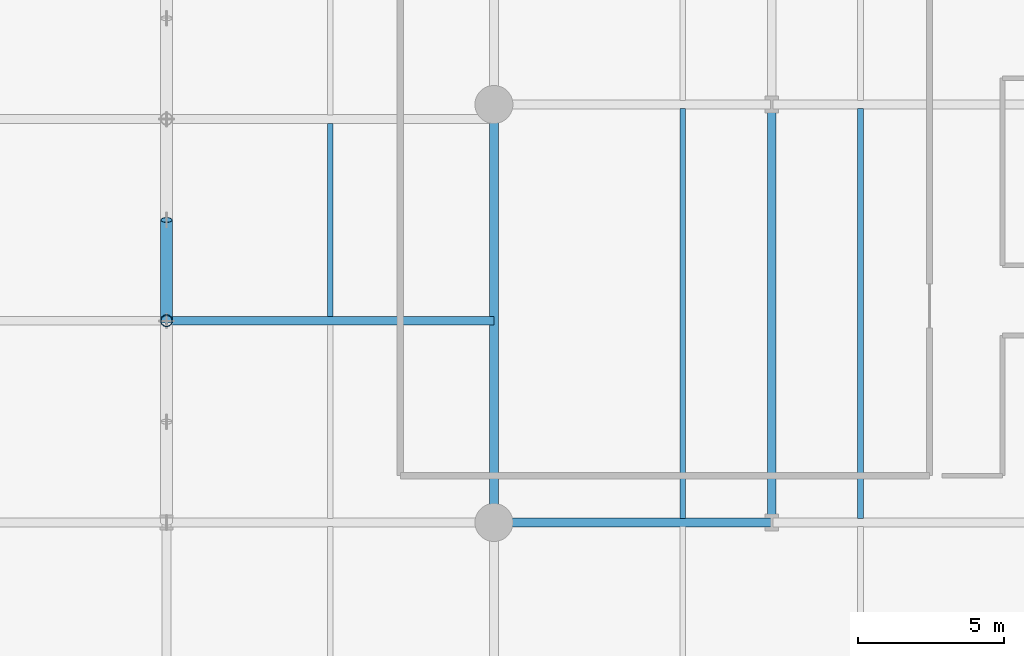
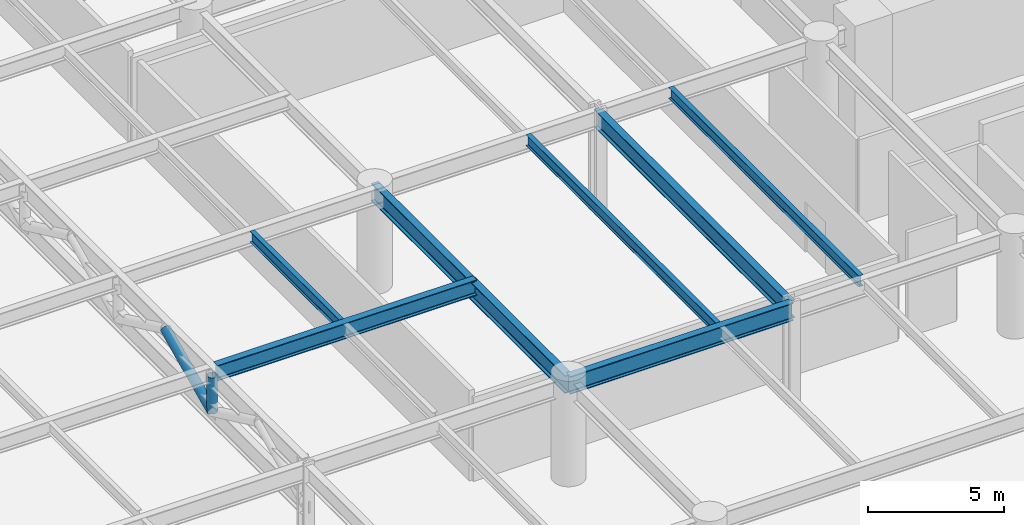
# One storey, part 7 of 40: 7 beams, 2 members.
"""IFC4 building model written with IfcOpenShell, lengths in metres."""

from ifc_helpers import new_model, si_unit, direction, frame, origin, origin_2d, place, context, subcontext, project, spatial, hollow_circle, i_section, extrude, material, material_profile, profile_set, type_object, element, save


model = new_model("IFC4")

# Units and contexts
model_context = context("Model", 3, precision=1e-05, world=origin(), true_north=direction((0.0, 1.0)))
body_context = subcontext(model_context, "Body", "Model", "MODEL_VIEW")
ifc_project = project(units=[si_unit("LENGTHUNIT", "METRE"), si_unit("AREAUNIT", "SQUARE_METRE"), si_unit("VOLUMEUNIT", "CUBIC_METRE"), si_unit("PLANEANGLEUNIT", "RADIAN"), si_unit("MASSUNIT", "GRAM", prefix="KILO")], contexts=[model_context])

# Site, building, storey
site_placement = place(None, origin())
site = spatial("IfcSite", under=ifc_project, at=site_placement, CompositionType="ELEMENT")
building_placement = place(site_placement, origin())
building = spatial("IfcBuilding", under=site, at=building_placement, Name="Narakoshi Arena Tower", CompositionType="ELEMENT")
storey_placement = place(building_placement, frame((0.0, 0.0, 21.60009765625)))
storey = spatial("IfcBuildingStorey", under=building, at=storey_placement, Name="L05", CompositionType="ELEMENT", Elevation=21.60009765625)

# Beams
ifc_material_1 = material(Name="Structural steel S355J2", Category="steel")
ifc_material_profile_1 = material_profile(ifc_material_1, i_section(OverallWidth=0.300048828125, OverallDepth=0.699951171875, WebThickness=0.01708984375, FlangeThickness=0.031982421875, FilletRadius=0.027099609375, at=origin_2d()), Name="HE700B")
ifc_profile_set_1 = profile_set([ifc_material_profile_1], Name="Structural steel S355J2")
beam_type_1 = type_object("IfcBeamType", Name="BM-PRI-700", PredefinedType="BEAM", material=ifc_profile_set_1)
beam_1_placement = place(storey_placement, frame((40.14501953125, 27.300048828125, 4.429931640625), z_axis=(1.0, 0.0, 0.0), x_axis=(0.0, 1.0, 0.0)))
element("IfcBeam", 1, at=beam_1_placement, inside=storey, type_object=beam_type_1, Name="L05 Arena Roof Transverse Girder 1-40", PredefinedType="BEAM", context=body_context, shape_type="SweptSolid", body=[
    extrude(i_section(OverallWidth=0.300048828125, OverallDepth=0.699951171875, WebThickness=0.01708984375, FlangeThickness=0.031982421875, FilletRadius=0.027099609375, at=origin_2d()), origin(), (0.0, 0.0, 1.0), 11.054931640625),
])
ifc_material_2 = material(Name="Structural steel S460ML", Category="steel")
ifc_material_profile_2 = material_profile(ifc_material_2, i_section(OverallWidth=0.300048828125, OverallDepth=0.800048828125, WebThickness=0.017578125, FlangeThickness=0.032958984375, FilletRadius=0.030029296875, at=origin_2d()), Name="HE800B")
ifc_profile_set_2 = profile_set([ifc_material_profile_2], Name="Structural steel S460ML")
beam_type_2 = type_object("IfcBeamType", Name="BM-PRI-800", PredefinedType="BEAM", material=ifc_profile_set_2)
beam_2_placement = place(storey_placement, frame((51.199951171875, 20.39990234375, 4.199951171875), z_axis=(1.0, 0.0, 0.0), x_axis=(0.0, 1.0, 0.0)))
element("IfcBeam", 2, at=beam_2_placement, inside=storey, type_object=beam_type_2, Name="L05 Podium Primary X-Girder 018", PredefinedType="BEAM", context=body_context, shape_type="SweptSolid", body=[
    extrude(i_section(OverallWidth=0.300048828125, OverallDepth=0.800048828125, WebThickness=0.017578125, FlangeThickness=0.032958984375, FilletRadius=0.030029296875, at=origin_2d()), origin(), (0.0, 0.0, 1.0), 9.5),
])
for number, where, z_axis, x_axis, name in (
    (3, (51.199951171875, 20.39990234375, 4.199951171875), (0.0, 1.0, 0.0), (-1.0, 0.0, 0.0), "L05 Podium Primary Y-Girder 081"),
    (4, (60.699951171875, 20.39990234375, 4.199951171875), (0.0, 1.0, 0.0), (-1.0, 0.0, 0.0), "L05 Podium Primary Y-Girder 086"),
):
    element("IfcBeam", number, at=place(storey_placement, frame(where, z_axis=z_axis, x_axis=x_axis)), inside=storey, type_object=beam_type_2, Name=name, PredefinedType="BEAM", context=body_context, shape_type="SweptSolid", body=[
        extrude(i_section(OverallWidth=0.300048828125, OverallDepth=0.800048828125, WebThickness=0.017578125, FlangeThickness=0.032958984375, FilletRadius=0.030029296875, at=origin_2d()), origin(), (0.0, 0.0, 1.0), 14.300048828125),
    ])
ifc_material_profile_3 = material_profile(ifc_material_1, i_section(OverallWidth=0.199951171875, OverallDepth=0.5, WebThickness=0.01025390625, FlangeThickness=0.01611328125, FilletRadius=0.02099609375, at=origin_2d()), Name="IPE500")
ifc_profile_set_3 = profile_set([ifc_material_profile_3], Name="Structural steel S355J2")
beam_type_3 = type_object("IfcBeamType", Name="BM-SEC-500", PredefinedType="JOIST", material=ifc_profile_set_3)
for number, where, z_axis, x_axis, name in (
    (5, (57.659912109375, 20.534912109375, 4.349853515625), (0.0, 1.0, 0.0), (-1.0, 0.0, 0.0), "L05 Podium Composite Floor Joist 010"),
    (6, (63.739990234375, 20.534912109375, 4.349853515625), (0.0, 1.0, 0.0), (-1.0, 0.0, 0.0), "L05 Podium Composite Floor Joist 016"),
):
    element("IfcBeam", number, at=place(storey_placement, frame(where, z_axis=z_axis, x_axis=x_axis)), inside=storey, type_object=beam_type_3, Name=name, PredefinedType="JOIST", context=body_context, shape_type="SweptSolid", body=[
        extrude(i_section(OverallWidth=0.199951171875, OverallDepth=0.5, WebThickness=0.01025390625, FlangeThickness=0.01611328125, FilletRadius=0.02099609375, at=origin_2d()), origin(), (0.0, 0.0, 1.0), 14.030029296875),
    ])
beam_3_placement = place(storey_placement, frame((45.60009765625, 27.445068359375, 4.52978515625), z_axis=(0.0, 1.0, 0.0), x_axis=(-1.0, 0.0, 0.0)))
element("IfcBeam", 7, at=beam_3_placement, inside=storey, type_object=beam_type_3, Name="L05 Arena Roof Secondary Joist 40-2", PredefinedType="JOIST", context=body_context, shape_type="SweptSolid", body=[
    extrude(i_section(OverallWidth=0.199951171875, OverallDepth=0.5, WebThickness=0.01025390625, FlangeThickness=0.01611328125, FilletRadius=0.02099609375, at=origin_2d()), origin(), (0.0, 0.0, 1.0), 6.60986328125),
])

# Members
ifc_material_profile_4 = material_profile(ifc_material_2, hollow_circle(Radius=0.203125, WallThickness=0.01611328125, at=origin_2d()), Name="CHS406x16")
ifc_profile_set_4 = profile_set([ifc_material_profile_4], Name="Structural steel S460ML")
member_type = type_object("IfcMemberType", Name="MEM-ARN-406", PredefinedType="CHORD", material=ifc_profile_set_4)
member_1_placement = place(storey_placement, frame((40.0, 27.300048828125, 2.699951171875), z_axis=(0.0, 0.0, 1.0), x_axis=(1.0, 0.0, 0.0)))
element("IfcMember", 8, at=member_1_placement, inside=storey, type_object=member_type, Name="L05 Arena Roof Truss 3 Web Post 2", PredefinedType="CHORD", context=body_context, shape_type="SweptSolid", body=[
    extrude(hollow_circle(Radius=0.203125, WallThickness=0.01611328125, at=origin_2d()), origin(), (0.0, 0.0, 1.0), 1.625),
])
member_2_placement = place(storey_placement, frame((40.0, 27.300048828125, 2.699951171875), z_axis=(0.0, 0.904667753866, 0.426117654075), x_axis=(-1.0, 0.0, 0.0)))
element("IfcMember", 9, at=member_2_placement, inside=storey, type_object=member_type, Name="L05 Arena Roof Truss 3 Web Diagonal 2A", PredefinedType="CHORD", context=body_context, shape_type="SweptSolid", body=[
    extrude(hollow_circle(Radius=0.203125, WallThickness=0.01611328125, at=origin_2d()), origin(), (0.0, 0.0, 1.0), 3.8134765625),
])

save(model, "model.ifc")
